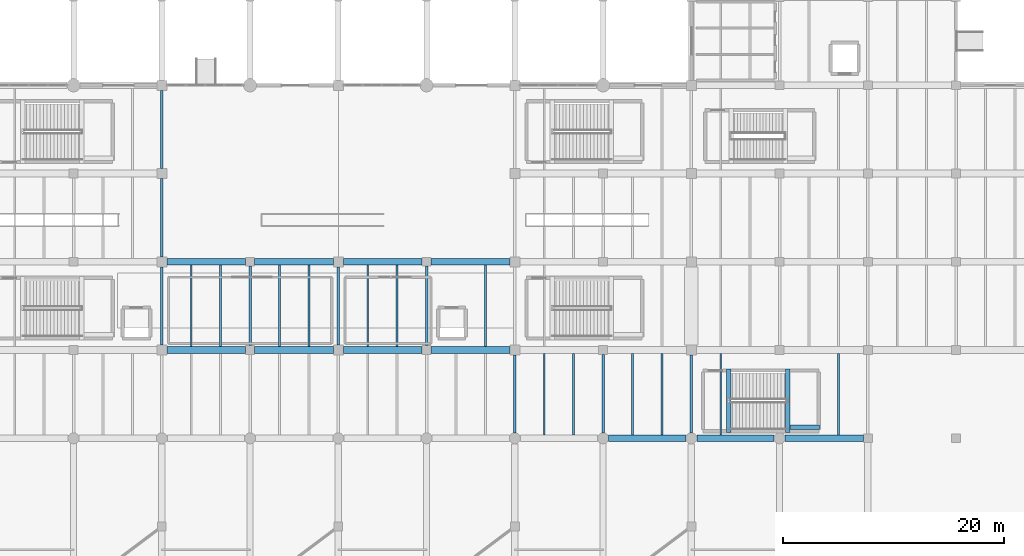
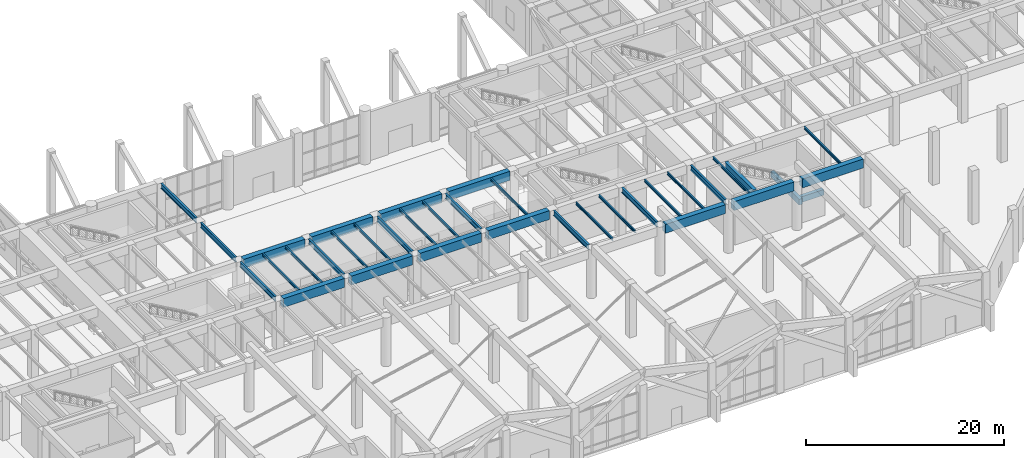
# One storey, part 16 of 51: 36 beams.
"""IFC4 building model written with IfcOpenShell, lengths in metres."""

from ifc_helpers import new_model, si_unit, direction, frame, origin, origin_2d, place, context, subcontext, project, spatial, rectangle, i_section, extrude, material, material_profile, profile_set, type_object, element, save


model = new_model("IFC4")

# Units and contexts
model_context = context("Model", 3, precision=1e-05, world=origin(), true_north=direction((0.0, 1.0)))
body_context = subcontext(model_context, "Body", "Model", "MODEL_VIEW")
ifc_project = project(units=[si_unit("LENGTHUNIT", "METRE"), si_unit("AREAUNIT", "SQUARE_METRE"), si_unit("VOLUMEUNIT", "CUBIC_METRE"), si_unit("PLANEANGLEUNIT", "RADIAN"), si_unit("MASSUNIT", "GRAM", prefix="KILO")], contexts=[model_context])

# Site, building, storey
site_placement = place(None, origin())
site = spatial("IfcSite", under=ifc_project, at=site_placement, CompositionType="ELEMENT")
building_placement = place(site_placement, origin())
building = spatial("IfcBuilding", under=site, at=building_placement, Name="Varnela Railside Interchange", CompositionType="ELEMENT")
storey_placement = place(building_placement, origin())
storey = spatial("IfcBuildingStorey", under=building, at=storey_placement, Name="L00", CompositionType="ELEMENT", Elevation=0.0)

# Beams
ifc_material_1 = material(Name="Steel AR 350 (350 MPa)", Category="steel")
ifc_material_profile_1 = material_profile(ifc_material_1, i_section(OverallWidth=0.1669921875, OverallDepth=0.31689453125, WebThickness=0.007568359375, FlangeThickness=0.01318359375, at=origin_2d()), Name="W310x52")
ifc_profile_set_1 = profile_set([ifc_material_profile_1], Name="Steel AR 350 (350 MPa)")
beam_type_1 = type_object("IfcBeamType", Name="Composite Long-Span Joist J-03", PredefinedType="JOIST", material=ifc_profile_set_1)
for number, where, z_axis, x_axis, name in (
    (1, (70.669921875, 38.300048828125, 5.861572265625), (0.0, 1.0, 0.0), (-1.0, 0.0, 0.0), "Composite Long-Span Joist J-03 (L00) (BM-1183)"),
    (2, (73.330078125, 38.300048828125, 5.861572265625), (0.0, 1.0, 0.0), (-1.0, 0.0, 0.0), "Composite Long-Span Joist J-03 (L00) (BM-1184)"),
    (3, (78.669921875, 38.300048828125, 5.861572265625), (0.0, 1.0, 0.0), (-1.0, 0.0, 0.0), "Composite Long-Span Joist J-03 (L00) (BM-1187)"),
    (4, (81.330078125, 38.300048828125, 5.861572265625), (0.0, 1.0, 0.0), (-1.0, 0.0, 0.0), "Composite Long-Span Joist J-03 (L00) (BM-1188)"),
    (5, (86.669921875, 38.300048828125, 5.861572265625), (0.0, 1.0, 0.0), (-1.0, 0.0, 0.0), "Composite Long-Span Joist J-03 (L00) (BM-1040)"),
    (6, (89.330078125, 38.300048828125, 5.861572265625), (0.0, 1.0, 0.0), (-1.0, 0.0, 0.0), "Composite Long-Span Joist J-03 (L00) (BM-1041)"),
    (7, (97.330078125, 38.300048828125, 5.861572265625), (0.0, 1.0, 0.0), (-1.0, 0.0, 0.0), "Composite Long-Span Joist J-03 (L00) (BM-1044)"),
    (8, (102.669921875, 30.300048828125, 5.861572265625), (0.0, 1.0, 0.0), (-1.0, 0.0, 0.0), "Composite Long-Span Joist J-03 (L00) (BM-1045)"),
    (9, (105.330078125, 30.300048828125, 5.861572265625), (0.0, 1.0, 0.0), (-1.0, 0.0, 0.0), "Composite Long-Span Joist J-03 (L00) (BM-1046)"),
    (10, (110.669921875, 30.300048828125, 5.861572265625), (0.0, 1.0, 0.0), (-1.0, 0.0, 0.0), "Composite Long-Span Joist J-03 (L00) (BM-1051)"),
    (11, (113.330078125, 30.300048828125, 5.861572265625), (0.0, 1.0, 0.0), (-1.0, 0.0, 0.0), "Composite Long-Span Joist J-03 (L00) (BM-1052)"),
    (12, (118.669921875, 30.300048828125, 5.861572265625), (0.0, 1.0, 0.0), (-1.0, 0.0, 0.0), "Composite Long-Span Joist J-03 (L00) (BM-1059)"),
    (13, (129.330078125, 30.300048828125, 5.861572265625), (0.0, 1.0, 0.0), (-1.0, 0.0, 0.0), "Composite Long-Span Joist J-03 (L00) (BM-1073)"),
):
    element("IfcBeam", number, at=place(storey_placement, frame(where, z_axis=z_axis, x_axis=x_axis)), inside=storey, type_object=beam_type_1, Name=name, PredefinedType="JOIST", context=body_context, shape_type="SweptSolid", body=[
        extrude(i_section(OverallWidth=0.1669921875, OverallDepth=0.31689453125, WebThickness=0.007568359375, FlangeThickness=0.01318359375, at=origin_2d()), origin(), (0.0, 0.0, 1.0), 7.39990234375),
    ])
ifc_material_2 = material(Name="Concrete C50", Category="concrete")
ifc_material_profile_2 = material_profile(ifc_material_2, rectangle(XDim=0.60009765625, YDim=1.10009765625, at=origin_2d()), Name="RC 600x1100")
ifc_profile_set_2 = profile_set([ifc_material_profile_2], Name="Concrete C50")
beam_type_2 = type_object("IfcBeamType", Name="Concourse RC Girder B-06", PredefinedType="BEAM", material=ifc_profile_set_2)
for number, where, z_axis, x_axis, name in (
    (14, (108.5, 30.0, 5.469970703125), (1.0, 0.0, 0.0), (0.0, 1.0, 0.0), "Concourse RC Girder B-06 (L00) (BM-1190)"),
    (15, (116.5, 30.0, 5.469970703125), (1.0, 0.0, 0.0), (0.0, 1.0, 0.0), "Concourse RC Girder B-06 (L00) (BM-1191)"),
):
    element("IfcBeam", number, at=place(storey_placement, frame(where, z_axis=z_axis, x_axis=x_axis)), inside=storey, type_object=beam_type_2, Name=name, PredefinedType="BEAM", context=body_context, shape_type="SweptSolid", body=[
        extrude(rectangle(XDim=0.60009765625, YDim=1.10009765625, at=origin_2d()), origin(), (0.0, 0.0, 1.0), 7.0),
    ])
beam_1_placement = place(storey_placement, frame((124.5, 30.0, 5.469970703125), z_axis=(1.0, 0.0, 0.0), x_axis=(0.0, 1.0, 0.0)))
element("IfcBeam", 16, at=beam_1_placement, inside=storey, type_object=beam_type_2, Name="Concourse RC Girder B-06 (L00) (BM-1192)", PredefinedType="BEAM", context=body_context, shape_type="SweptSolid", body=[
    extrude(rectangle(XDim=0.60009765625, YDim=1.10009765625, at=origin_2d()), origin(), (0.0, 0.0, 1.0), 7.10009765625),
])
for number, where, z_axis, x_axis, name in (
    (17, (68.449951171875, 38.0, 5.469970703125), (1.0, 0.0, 0.0), (0.0, 1.0, 0.0), "Concourse RC Girder B-06 (L00) (BM-1217)"),
    (18, (76.39990234375, 38.0, 5.469970703125), (1.0, 0.0, 0.0), (0.0, 1.0, 0.0), "Concourse RC Girder B-06 (L00) (BM-1218)"),
    (19, (84.449951171875, 38.0, 5.469970703125), (1.0, 0.0, 0.0), (0.0, 1.0, 0.0), "Concourse RC Girder B-06 (L00) (BM-1219)"),
    (20, (92.39990234375, 38.0, 5.469970703125), (1.0, 0.0, 0.0), (0.0, 1.0, 0.0), "Concourse RC Girder B-06 (L00) (BM-1220)"),
    (21, (68.449951171875, 46.0, 5.469970703125), (1.0, 0.0, 0.0), (0.0, 1.0, 0.0), "Concourse RC Girder B-06 (L00) (BM-1237)"),
    (22, (76.39990234375, 46.0, 5.469970703125), (1.0, 0.0, 0.0), (0.0, 1.0, 0.0), "Concourse RC Girder B-06 (L00) (BM-1238)"),
    (23, (84.449951171875, 46.0, 5.469970703125), (1.0, 0.0, 0.0), (0.0, 1.0, 0.0), "Concourse RC Girder B-06 (L00) (BM-1239)"),
    (24, (92.39990234375, 46.0, 5.469970703125), (1.0, 0.0, 0.0), (0.0, 1.0, 0.0), "Concourse RC Girder B-06 (L00) (BM-1240)"),
):
    element("IfcBeam", number, at=place(storey_placement, frame(where, z_axis=z_axis, x_axis=x_axis)), inside=storey, type_object=beam_type_2, Name=name, PredefinedType="BEAM", context=body_context, shape_type="SweptSolid", body=[
        extrude(rectangle(XDim=0.60009765625, YDim=1.10009765625, at=origin_2d()), origin(), (0.0, 0.0, 1.0), 7.150146484375),
    ])
ifc_material_3 = material(Name="Concrete C40", Category="concrete")
ifc_material_profile_3 = material_profile(ifc_material_3, rectangle(XDim=0.39990234375, YDim=0.699951171875, at=origin_2d()), Name="RC 400x700")
ifc_profile_set_3 = profile_set([ifc_material_profile_3], Name="Concrete C40")
beam_type_3 = type_object("IfcBeamType", Name="Concrete Tie Beam B-01", PredefinedType="BEAM", material=ifc_profile_set_3)
for number, where, z_axis, x_axis, name in (
    (25, (119.39990234375, 30.52001953125, 5.669921875), (0.0, 1.0, 0.0), (-1.0, 0.0, 0.0), "Concrete Tie Beam B-01 (L00) (BM-1453)"),
    (26, (124.7548828125, 30.52001953125, 2.639892578125), (0.0, 1.0, 0.0), (-1.0, 0.0, 0.0), "Concrete Tie Beam B-01 (L00) (BM-1440)"),
):
    element("IfcBeam", number, at=place(storey_placement, frame(where, z_axis=z_axis, x_axis=x_axis)), inside=storey, type_object=beam_type_3, Name=name, PredefinedType="BEAM", context=body_context, shape_type="SweptSolid", body=[
        extrude(rectangle(XDim=0.39990234375, YDim=0.699951171875, at=origin_2d()), origin(), (0.0, 0.0, 1.0), 5.760009765625),
    ])
beam_2_placement = place(storey_placement, frame((124.955078125, 31.0, 2.639892578125), z_axis=(1.0, 0.0, 0.0), x_axis=(0.0, 1.0, 0.0)))
element("IfcBeam", 27, at=beam_2_placement, inside=storey, type_object=beam_type_3, Name="Concrete Tie Beam B-01 (L00) (BM-1427)", PredefinedType="BEAM", context=body_context, shape_type="SweptSolid", body=[
    extrude(rectangle(XDim=0.39990234375, YDim=0.699951171875, at=origin_2d()), origin(), (0.0, 0.0, 1.0), 2.6650390625),
])
ifc_material_profile_4 = material_profile(ifc_material_1, i_section(OverallWidth=0.22900390625, OverallDepth=0.612060546875, WebThickness=0.011962890625, FlangeThickness=0.01953125, at=origin_2d()), Name="W610x125")
ifc_profile_set_4 = profile_set([ifc_material_profile_4], Name="Steel AR 350 (350 MPa)")
beam_type_4 = type_object("IfcBeamType", Name="Podium Composite Girder B-15", PredefinedType="BEAM", material=ifc_profile_set_4)
for number, where, z_axis, x_axis, name in (
    (28, (68.0, 38.449951171875, 5.714111328125), (0.0, 1.0, 0.0), (-1.0, 0.0, 0.0), "Podium Composite Girder B-15 (L00) (BM-1389)"),
    (29, (68.0, 46.449951171875, 5.714111328125), (0.0, 1.0, 0.0), (-1.0, 0.0, 0.0), "Podium Composite Girder B-15 (L00) (BM-1390)"),
    (30, (68.0, 54.449951171875, 5.714111328125), (0.0, 1.0, 0.0), (-1.0, 0.0, 0.0), "Podium Composite Girder B-15 (L00) (BM-1391)"),
):
    element("IfcBeam", number, at=place(storey_placement, frame(where, z_axis=z_axis, x_axis=x_axis)), inside=storey, type_object=beam_type_4, Name=name, PredefinedType="BEAM", context=body_context, shape_type="SweptSolid", body=[
        extrude(i_section(OverallWidth=0.22900390625, OverallDepth=0.612060546875, WebThickness=0.011962890625, FlangeThickness=0.01953125, at=origin_2d()), origin(), (0.0, 0.0, 1.0), 7.10009765625),
    ])
beam_3_placement = place(storey_placement, frame((76.0, 38.39990234375, 5.714111328125), z_axis=(0.0, 1.0, 0.0), x_axis=(-1.0, 0.0, 0.0)))
element("IfcBeam", 31, at=beam_3_placement, inside=storey, type_object=beam_type_4, Name="Podium Composite Girder B-15 (L00) (BM-1301)", PredefinedType="BEAM", context=body_context, shape_type="SweptSolid", body=[
    extrude(i_section(OverallWidth=0.22900390625, OverallDepth=0.612060546875, WebThickness=0.011962890625, FlangeThickness=0.01953125, at=origin_2d()), origin(), (0.0, 0.0, 1.0), 7.2001953125),
])
beam_4_placement = place(storey_placement, frame((84.0, 38.449951171875, 5.714111328125), z_axis=(0.0, 1.0, 0.0), x_axis=(-1.0, 0.0, 0.0)))
element("IfcBeam", 32, at=beam_4_placement, inside=storey, type_object=beam_type_4, Name="Podium Composite Girder B-15 (L00) (BM-1303)", PredefinedType="BEAM", context=body_context, shape_type="SweptSolid", body=[
    extrude(i_section(OverallWidth=0.22900390625, OverallDepth=0.612060546875, WebThickness=0.011962890625, FlangeThickness=0.01953125, at=origin_2d()), origin(), (0.0, 0.0, 1.0), 7.10009765625),
])
beam_5_placement = place(storey_placement, frame((92.0, 38.39990234375, 5.714111328125), z_axis=(0.0, 1.0, 0.0), x_axis=(-1.0, 0.0, 0.0)))
element("IfcBeam", 33, at=beam_5_placement, inside=storey, type_object=beam_type_4, Name="Podium Composite Girder B-15 (L00) (BM-1305)", PredefinedType="BEAM", context=body_context, shape_type="SweptSolid", body=[
    extrude(i_section(OverallWidth=0.22900390625, OverallDepth=0.612060546875, WebThickness=0.011962890625, FlangeThickness=0.01953125, at=origin_2d()), origin(), (0.0, 0.0, 1.0), 7.2001953125),
])
beam_6_placement = place(storey_placement, frame((100.0, 30.5, 5.714111328125), z_axis=(0.0, 1.0, 0.0), x_axis=(-1.0, 0.0, 0.0)))
element("IfcBeam", 34, at=beam_6_placement, inside=storey, type_object=beam_type_4, Name="Podium Composite Girder B-15 (L00) (BM-1306)", PredefinedType="BEAM", context=body_context, shape_type="SweptSolid", body=[
    extrude(i_section(OverallWidth=0.22900390625, OverallDepth=0.612060546875, WebThickness=0.011962890625, FlangeThickness=0.01953125, at=origin_2d()), origin(), (0.0, 0.0, 1.0), 7.050048828125),
])
beam_7_placement = place(storey_placement, frame((108.0, 30.5, 5.714111328125), z_axis=(0.0, 1.0, 0.0), x_axis=(-1.0, 0.0, 0.0)))
element("IfcBeam", 35, at=beam_7_placement, inside=storey, type_object=beam_type_4, Name="Podium Composite Girder B-15 (L00) (BM-1310)", PredefinedType="BEAM", context=body_context, shape_type="SweptSolid", body=[
    extrude(i_section(OverallWidth=0.22900390625, OverallDepth=0.612060546875, WebThickness=0.011962890625, FlangeThickness=0.01953125, at=origin_2d()), origin(), (0.0, 0.0, 1.0), 7.10009765625),
])
beam_8_placement = place(storey_placement, frame((116.0, 30.5, 5.714111328125), z_axis=(0.0, 1.0, 0.0), x_axis=(-1.0, 0.0, 0.0)))
element("IfcBeam", 36, at=beam_8_placement, inside=storey, type_object=beam_type_4, Name="Podium Composite Girder B-15 (L00) (BM-1312)", PredefinedType="BEAM", context=body_context, shape_type="SweptSolid", body=[
    extrude(i_section(OverallWidth=0.22900390625, OverallDepth=0.612060546875, WebThickness=0.011962890625, FlangeThickness=0.01953125, at=origin_2d()), origin(), (0.0, 0.0, 1.0), 7.050048828125),
])

save(model, "model.ifc")
